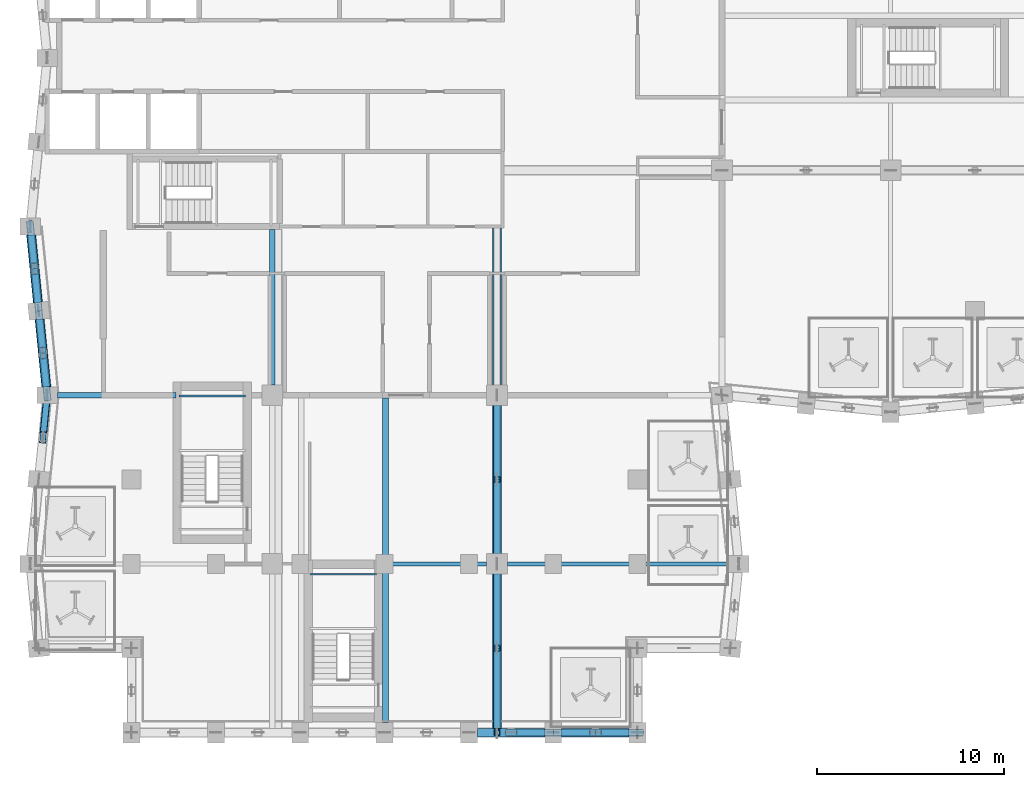
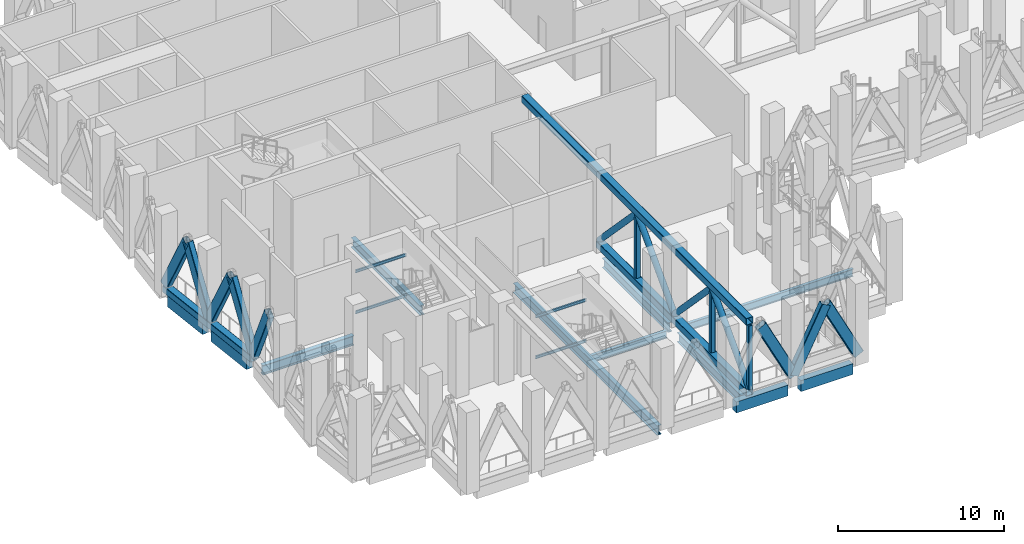
# One storey, part 2 of 28: 18 members, 15 beams.
"""IFC4 building model written with IfcOpenShell, lengths in metres."""

from ifc_helpers import new_model, si_unit, direction, frame, origin, origin_2d, place, context, subcontext, project, spatial, rectangle, hollow_rectangle, hollow_circle, i_section, extrude, material, material_profile, profile_set, type_object, element, save


model = new_model("IFC4")

# Units and contexts
model_context = context("Model", 3, precision=1e-05, world=origin(), true_north=direction((0.0, 1.0)))
body_context = subcontext(model_context, "Body", "Model", "MODEL_VIEW")
ifc_project = project(units=[si_unit("LENGTHUNIT", "METRE"), si_unit("AREAUNIT", "SQUARE_METRE"), si_unit("VOLUMEUNIT", "CUBIC_METRE"), si_unit("PLANEANGLEUNIT", "RADIAN"), si_unit("MASSUNIT", "GRAM", prefix="KILO")], contexts=[model_context])

# Site, building, storey
site_placement = place(None, origin())
site = spatial("IfcSite", under=ifc_project, at=site_placement, CompositionType="ELEMENT")
building_placement = place(site_placement, origin())
building = spatial("IfcBuilding", under=site, at=building_placement, Name="Brondeck Convention Tower", CompositionType="ELEMENT")
storey_placement = place(building_placement, frame((0.0, 0.0, 192.800048828125)))
storey = spatial("IfcBuildingStorey", under=building, at=storey_placement, Name="L47", CompositionType="ELEMENT", Elevation=192.800048828125)

# Members
ifc_material_1 = material(Name="Steel S460", Category="steel")
ifc_material_profile_1 = material_profile(ifc_material_1, hollow_rectangle(XDim=0.39990234375, YDim=0.699951171875, WallThickness=0.030029296875, InnerFilletRadius=0.030029296875, OuterFilletRadius=0.06005859375, at=origin_2d()), Name="RHS 700x400x30")
ifc_profile_set_1 = profile_set([ifc_material_profile_1], Name="Steel S460")
member_type_1 = type_object("IfcMemberType", Name="Chevron brace RHS 700x400x30", PredefinedType="BRACE", material=ifc_profile_set_1)
for number, where, z_axis, x_axis, name in (
    (1, (27.0, 9.0, 0.5), (-0.453998837511, 0.0, 0.891002275832), (0.0, -1.0, 0.0), "Belt truss BT-47-5 diagonal"),
    (2, (27.0, 9.0, 0.5), (0.453998837511, 0.0, 0.891002275832), (0.0, 1.0, 0.0), "Belt truss BT-47-6 diagonal"),
    (3, (31.5, 9.0, 0.5), (-0.453998837511, 0.0, 0.891002275832), (0.0, -1.0, 0.0), "Belt truss BT-47-6 diagonal"),
):
    element("IfcMember", number, at=place(storey_placement, frame(where, z_axis=z_axis, x_axis=x_axis)), inside=storey, type_object=member_type_1, Name=name, PredefinedType="BRACE", context=body_context, shape_type="SweptSolid", body=[
        extrude(hollow_rectangle(XDim=0.39990234375, YDim=0.699951171875, WallThickness=0.030029296875, InnerFilletRadius=0.030029296875, OuterFilletRadius=0.06005859375, at=origin_2d()), origin(), (0.0, 0.0, 1.0), 4.9560546875),
    ])
for number, where, z_axis, x_axis, name in (
    (4, (-0.89990234375, 36.0, 0.5), (0.045145636329, -0.451750471668, 0.891001337186), (0.995043602151, 0.099439578731, 0.0), "Belt truss BT-47-46 diagonal"),
    (5, (-0.449951171875, 31.5, 0.5), (-0.045194554325, 0.451749471427, 0.89099936438), (-0.995032913332, -0.099546478526, 0.0), "Belt truss BT-47-46 diagonal"),
    (6, (-0.449951171875, 31.5, 0.5), (0.045145636329, -0.451750471668, 0.891001337186), (0.995043602151, 0.099439578731, 0.0), "Belt truss BT-47-47 diagonal"),
    (7, (0.0, 27.0, 0.5), (-0.045194554325, 0.451749471427, 0.89099936438), (-0.995032913332, -0.099546478526, 0.0), "Belt truss BT-47-47 diagonal"),
    (8, (0.0, 27.0, 0.5), (-0.045194554325, -0.451749471427, 0.89099936438), (0.995032913332, -0.099546478526, 0.0), "Belt truss BT-47-48 diagonal"),
):
    element("IfcMember", number, at=place(storey_placement, frame(where, z_axis=z_axis, x_axis=x_axis)), inside=storey, type_object=member_type_1, Name=name, PredefinedType="BRACE", context=body_context, shape_type="SweptSolid", body=[
        extrude(hollow_rectangle(XDim=0.39990234375, YDim=0.699951171875, WallThickness=0.030029296875, InnerFilletRadius=0.030029296875, OuterFilletRadius=0.06005859375, at=origin_2d()), origin(), (0.0, 0.0, 1.0), 4.980712890625),
    ])

# Beams
ifc_material_2 = material(Name="Steel S355", Category="steel")
ifc_material_profile_2 = material_profile(ifc_material_2, i_section(OverallWidth=0.2099609375, OverallDepth=0.550048828125, WebThickness=0.010986328125, FlangeThickness=0.01708984375, FilletRadius=0.02392578125, at=origin_2d()), Name="IPE 550")
ifc_profile_set_2 = profile_set([ifc_material_profile_2], Name="Steel S355")
beam_type_1 = type_object("IfcBeamType", Name="Floor beam IPE 550", PredefinedType="BEAM", material=ifc_profile_set_2)
beam_1_placement = place(storey_placement, frame((24.550048828125, 18.0, -0.72509765625), z_axis=(1.0, 0.0, 0.0), x_axis=(0.0, 1.0, 0.0)))
element("IfcBeam", 9, at=beam_1_placement, inside=storey, type_object=beam_type_1, Name="STR-FB-L47-007", PredefinedType="BEAM", context=body_context, shape_type="SweptSolid", body=[
    extrude(i_section(OverallWidth=0.2099609375, OverallDepth=0.550048828125, WebThickness=0.010986328125, FlangeThickness=0.01708984375, FilletRadius=0.02392578125, at=origin_2d()), origin(), (0.0, 0.0, 1.0), 11.800048828125),
])
beam_2_placement = place(storey_placement, frame((18.199951171875, 18.0, -0.72509765625), z_axis=(1.0, 0.0, 0.0), x_axis=(0.0, 1.0, 0.0)))
element("IfcBeam", 10, at=beam_2_placement, inside=storey, type_object=beam_type_1, Name="STR-FB-L47-010", PredefinedType="BEAM", context=body_context, shape_type="SweptSolid", body=[
    extrude(i_section(OverallWidth=0.2099609375, OverallDepth=0.550048828125, WebThickness=0.010986328125, FlangeThickness=0.01708984375, FilletRadius=0.02392578125, at=origin_2d()), origin(), (0.0, 0.0, 1.0), 5.25),
])
ifc_material_profile_3 = material_profile(ifc_material_2, i_section(OverallWidth=0.300048828125, OverallDepth=0.699951171875, WebThickness=0.01708984375, FlangeThickness=0.031982421875, FilletRadius=0.027099609375, at=origin_2d()), Name="HEB 700")
ifc_profile_set_3 = profile_set([ifc_material_profile_3], Name="Steel S355")
beam_type_2 = type_object("IfcBeamType", Name="Girder HEB 700", PredefinedType="BEAM", material=ifc_profile_set_3)
beam_3_placement = place(storey_placement, frame((12.0, 35.85009765625, -0.800048828125), z_axis=(0.0, -1.0, 0.0), x_axis=(1.0, 0.0, 0.0)))
element("IfcBeam", 11, at=beam_3_placement, inside=storey, type_object=beam_type_2, Name="STR-GR-L47-011", PredefinedType="BEAM", context=body_context, shape_type="SweptSolid", body=[
    extrude(i_section(OverallWidth=0.300048828125, OverallDepth=0.699951171875, WebThickness=0.01708984375, FlangeThickness=0.031982421875, FilletRadius=0.027099609375, at=origin_2d()), origin(), (0.0, 0.0, 1.0), 8.300048828125),
])
beam_4_placement = place(storey_placement, frame((24.0, 26.449951171875, -0.800048828125), z_axis=(0.0, -1.0, 0.0), x_axis=(1.0, 0.0, 0.0)))
element("IfcBeam", 12, at=beam_4_placement, inside=storey, type_object=beam_type_2, Name="STR-GR-L47-015", PredefinedType="BEAM", context=body_context, shape_type="SweptSolid", body=[
    extrude(i_section(OverallWidth=0.300048828125, OverallDepth=0.699951171875, WebThickness=0.01708984375, FlangeThickness=0.031982421875, FilletRadius=0.027099609375, at=origin_2d()), origin(), (0.0, 0.0, 1.0), 7.89990234375),
])
beam_5_placement = place(storey_placement, frame((24.0, 17.449951171875, -0.800048828125), z_axis=(0.0, -1.0, 0.0), x_axis=(1.0, 0.0, 0.0)))
element("IfcBeam", 13, at=beam_5_placement, inside=storey, type_object=beam_type_2, Name="STR-GR-L47-016", PredefinedType="BEAM", context=body_context, shape_type="SweptSolid", body=[
    extrude(i_section(OverallWidth=0.300048828125, OverallDepth=0.699951171875, WebThickness=0.01708984375, FlangeThickness=0.031982421875, FilletRadius=0.027099609375, at=origin_2d()), origin(), (0.0, 0.0, 1.0), 8.224853515625),
])
beam_6_placement = place(storey_placement, frame((0.550048828125, 27.0, -0.800048828125), z_axis=(1.0, 0.0, 0.0), x_axis=(0.0, 1.0, 0.0)))
element("IfcBeam", 14, at=beam_6_placement, inside=storey, type_object=beam_type_2, Name="STR-GR-L47-017", PredefinedType="BEAM", context=body_context, shape_type="SweptSolid", body=[
    extrude(i_section(OverallWidth=0.300048828125, OverallDepth=0.699951171875, WebThickness=0.01708984375, FlangeThickness=0.031982421875, FilletRadius=0.027099609375, at=origin_2d()), origin(), (0.0, 0.0, 1.0), 6.329833984375),
])
beam_7_placement = place(storey_placement, frame((18.050048828125, 9.550048828125, -0.800048828125), z_axis=(0.0, 1.0, 0.0), x_axis=(-1.0, 0.0, 0.0)))
element("IfcBeam", 15, at=beam_7_placement, inside=storey, type_object=beam_type_2, Name="STR-GR-L47-023", PredefinedType="BEAM", context=body_context, shape_type="SweptSolid", body=[
    extrude(i_section(OverallWidth=0.300048828125, OverallDepth=0.699951171875, WebThickness=0.01708984375, FlangeThickness=0.031982421875, FilletRadius=0.027099609375, at=origin_2d()), origin(), (0.0, 0.0, 1.0), 17.300048828125),
])
ifc_material_profile_4 = material_profile(ifc_material_2, i_section(OverallWidth=0.10009765625, OverallDepth=0.199951171875, WebThickness=0.005615234375, FlangeThickness=0.008544921875, FilletRadius=0.011962890625, at=origin_2d()), Name="IPE200")
ifc_profile_set_4 = profile_set([ifc_material_profile_4], Name="Steel S355")
beam_type_3 = type_object("IfcBeamType", Name="Landing ledger beam IPE 200", PredefinedType="BEAM", material=ifc_profile_set_4)
for number, where, z_axis, x_axis, name in (
    (16, (10.570068359375, 26.949951171875, 1.14990234375), (-1.0, 0.0, 0.0), (0.0, -1.0, 0.0), "L47 ST-BE landing beam"),
    (17, (10.570068359375, 26.949951171875, 4.14990234375), (-1.0, 0.0, 0.0), (0.0, -1.0, 0.0), "L47 ST-BE landing beam"),
    (18, (17.570068359375, 17.449951171875, 1.14990234375), (-1.0, 0.0, 0.0), (0.0, -1.0, 0.0), "L47 ST-BF landing beam"),
    (19, (17.570068359375, 17.449951171875, 4.14990234375), (-1.0, 0.0, 0.0), (0.0, -1.0, 0.0), "L47 ST-BF landing beam"),
):
    element("IfcBeam", number, at=place(storey_placement, frame(where, z_axis=z_axis, x_axis=x_axis)), inside=storey, type_object=beam_type_3, Name=name, PredefinedType="BEAM", context=body_context, shape_type="SweptSolid", body=[
        extrude(i_section(OverallWidth=0.10009765625, OverallDepth=0.199951171875, WebThickness=0.005615234375, FlangeThickness=0.008544921875, FilletRadius=0.011962890625, at=origin_2d()), origin(), (0.0, 0.0, 1.0), 3.5400390625),
    ])
ifc_material_3 = material(Name="Concrete C70/85", Category="concrete")
ifc_material_profile_5 = material_profile(ifc_material_3, rectangle(XDim=0.449951171875, YDim=0.800048828125, at=origin_2d()), Name="Precast spandrel 450x800 Concrete C70/85")
ifc_profile_set_5 = profile_set([ifc_material_profile_5], Name="Concrete C70/85")
beam_type_4 = type_object("IfcBeamType", Name="Precast spandrel 450x800 Concrete C70/85", PredefinedType="SPANDREL", material=ifc_profile_set_5)
for number, where, z_axis, x_axis, name in (
    (20, (22.949951171875, 9.0, -0.400146484375), (1.0, 0.0, 0.0), (0.0, 1.0, 0.0), "STR-SP-L47-005"),
    (21, (27.449951171875, 9.0, -0.400146484375), (1.0, 0.0, 0.0), (0.0, 1.0, 0.0), "STR-SP-L47-006"),
):
    element("IfcBeam", number, at=place(storey_placement, frame(where, z_axis=z_axis, x_axis=x_axis)), inside=storey, type_object=beam_type_4, Name=name, PredefinedType="SPANDREL", context=body_context, shape_type="SweptSolid", body=[
        extrude(rectangle(XDim=0.449951171875, YDim=0.800048828125, at=origin_2d()), origin(), (0.0, 0.0, 1.0), 3.60009765625),
    ])
for number, where, z_axis, x_axis, name in (
    (22, (-0.85498046875, 35.550048828125, -0.400146484375), (0.099470334057, -0.995040528141, 0.0), (0.995040528141, 0.099470334057, 0.0), "STR-SP-L47-046"),
    (23, (-0.4052734375, 31.05224609375, -0.400146484375), (0.099537103649, -0.995033851182, 0.0), (0.995033851182, 0.099537103649, 0.0), "STR-SP-L47-047"),
):
    element("IfcBeam", number, at=place(storey_placement, frame(where, z_axis=z_axis, x_axis=x_axis)), inside=storey, type_object=beam_type_4, Name=name, PredefinedType="SPANDREL", context=body_context, shape_type="SweptSolid", body=[
        extrude(rectangle(XDim=0.449951171875, YDim=0.800048828125, at=origin_2d()), origin(), (0.0, 0.0, 1.0), 3.620361328125),
    ])

# Members
ifc_material_profile_6 = material_profile(ifc_material_1, hollow_rectangle(XDim=0.5, YDim=0.5, WallThickness=0.02490234375, InnerFilletRadius=0.02490234375, OuterFilletRadius=0.050048828125, at=origin_2d()), Name="RHS 500x500x25")
ifc_profile_set_6 = profile_set([ifc_material_profile_6], Name="Steel S460")
member_type_2 = type_object("IfcMemberType", Name="Truss chord RHS 500x500x25", PredefinedType="CHORD", material=ifc_profile_set_6)
member_1_placement = place(storey_placement, frame((-0.89990234375, 36.0, 0.25), z_axis=(0.099493029059, -0.995038259148, 0.0), x_axis=(0.995038259148, 0.099493029059, 0.0)))
element("IfcMember", 24, at=member_1_placement, inside=storey, type_object=member_type_2, Name="Belt truss BT-47-26 chord", PredefinedType="CHORD", context=body_context, shape_type="SweptSolid", body=[
    extrude(hollow_rectangle(XDim=0.5, YDim=0.5, WallThickness=0.02490234375, InnerFilletRadius=0.02490234375, OuterFilletRadius=0.050048828125, at=origin_2d()), origin(), (0.0, 0.0, 1.0), 9.044921875),
])
member_2_placement = place(storey_placement, frame((24.0, 36.0, 5.449951171875), z_axis=(0.0, -1.0, 0.0), x_axis=(1.0, 0.0, 0.0)))
element("IfcMember", 25, at=member_2_placement, inside=storey, type_object=member_type_2, Name="Outrigger truss OT-47-B2 chord", PredefinedType="CHORD", context=body_context, shape_type="SweptSolid", body=[
    extrude(hollow_rectangle(XDim=0.5, YDim=0.5, WallThickness=0.02490234375, InnerFilletRadius=0.02490234375, OuterFilletRadius=0.050048828125, at=origin_2d()), origin(), (0.0, 0.0, 1.0), 27.0),
])
member_3_placement = place(storey_placement, frame((24.0, 27.0, 0.25), z_axis=(0.0, -1.0, 0.0), x_axis=(1.0, 0.0, 0.0)))
element("IfcMember", 26, at=member_3_placement, inside=storey, type_object=member_type_2, Name="Outrigger truss OT-47-B2 chord", PredefinedType="CHORD", context=body_context, shape_type="SweptSolid", body=[
    extrude(hollow_rectangle(XDim=0.5, YDim=0.5, WallThickness=0.02490234375, InnerFilletRadius=0.02490234375, OuterFilletRadius=0.050048828125, at=origin_2d()), origin(), (0.0, 0.0, 1.0), 18.0),
])
ifc_material_profile_7 = material_profile(ifc_material_1, hollow_circle(Radius=0.203125, WallThickness=0.02490234375, at=origin_2d()), Name="CHS 406.4x25")
ifc_profile_set_7 = profile_set([ifc_material_profile_7], Name="Steel S460")
member_type_3 = type_object("IfcMemberType", Name="Truss diagonal CHS 406.4x25", PredefinedType="BRACE", material=ifc_profile_set_7)
for number, where, z_axis, x_axis, name in (
    (27, (24.0, 27.0, 0.5), (0.0, -0.691575247608, 0.722304421208), (1.0, 0.0, 0.0), "Outrigger truss OT-47-B2 diagonal"),
    (28, (24.0, 22.5, 5.199951171875), (0.0, -0.691575247608, -0.722304421208), (1.0, 0.0, 0.0), "Outrigger truss OT-47-B2 diagonal"),
    (29, (24.0, 18.0, 0.5), (0.0, -0.691575247608, 0.722304421208), (1.0, 0.0, 0.0), "Outrigger truss OT-47-B2 diagonal"),
    (30, (24.0, 13.5, 5.199951171875), (0.0, -0.691575247608, -0.722304421208), (1.0, 0.0, 0.0), "Outrigger truss OT-47-B2 diagonal"),
):
    element("IfcMember", number, at=place(storey_placement, frame(where, z_axis=z_axis, x_axis=x_axis)), inside=storey, type_object=member_type_3, Name=name, PredefinedType="BRACE", context=body_context, shape_type="SweptSolid", body=[
        extrude(hollow_circle(Radius=0.203125, WallThickness=0.02490234375, at=origin_2d()), origin(), (0.0, 0.0, 1.0), 6.5068359375),
    ])
ifc_material_profile_8 = material_profile(ifc_material_1, hollow_rectangle(XDim=0.300048828125, YDim=0.300048828125, WallThickness=0.01611328125, InnerFilletRadius=0.01611328125, OuterFilletRadius=0.031982421875, at=origin_2d()), Name="RHS 300x300x16")
ifc_profile_set_8 = profile_set([ifc_material_profile_8], Name="Steel S460")
member_type_4 = type_object("IfcMemberType", Name="Truss vertical RHS 300x300x16", PredefinedType="STRUT", material=ifc_profile_set_8)
for number, where, z_axis, x_axis, name in (
    (31, (24.0, 22.5, 0.5), (0.0, 0.0, 1.0), (1.0, 0.0, 0.0), "Outrigger truss OT-47-B2 vertical"),
    (32, (24.0, 13.5, 0.5), (0.0, 0.0, 1.0), (1.0, 0.0, 0.0), "Outrigger truss OT-47-B2 vertical"),
    (33, (24.0, 9.0, 0.5), (0.0, 0.0, 1.0), (1.0, 0.0, 0.0), "Outrigger truss OT-47-B2 vertical"),
):
    element("IfcMember", number, at=place(storey_placement, frame(where, z_axis=z_axis, x_axis=x_axis)), inside=storey, type_object=member_type_4, Name=name, PredefinedType="STRUT", context=body_context, shape_type="SweptSolid", body=[
        extrude(hollow_rectangle(XDim=0.300048828125, YDim=0.300048828125, WallThickness=0.01611328125, InnerFilletRadius=0.01611328125, OuterFilletRadius=0.031982421875, at=origin_2d()), origin(), (0.0, 0.0, 1.0), 4.699951171875),
    ])

save(model, "model.ifc")
